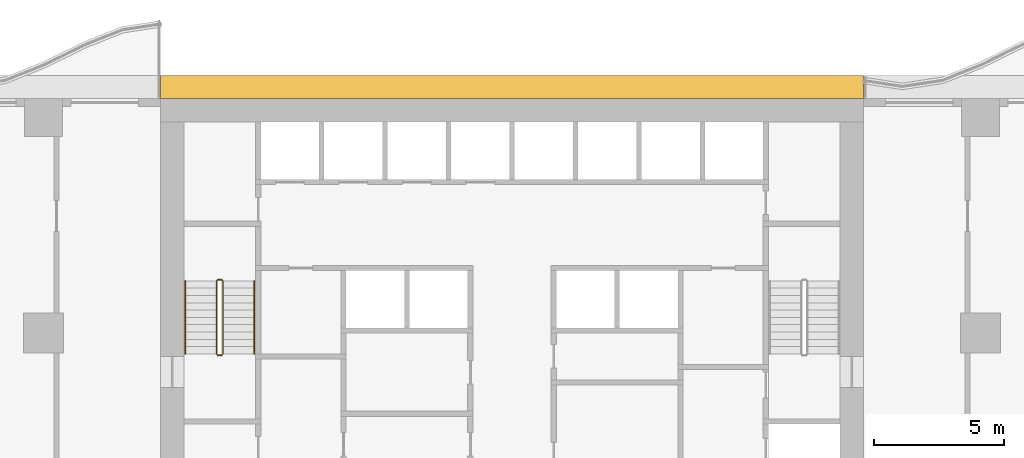
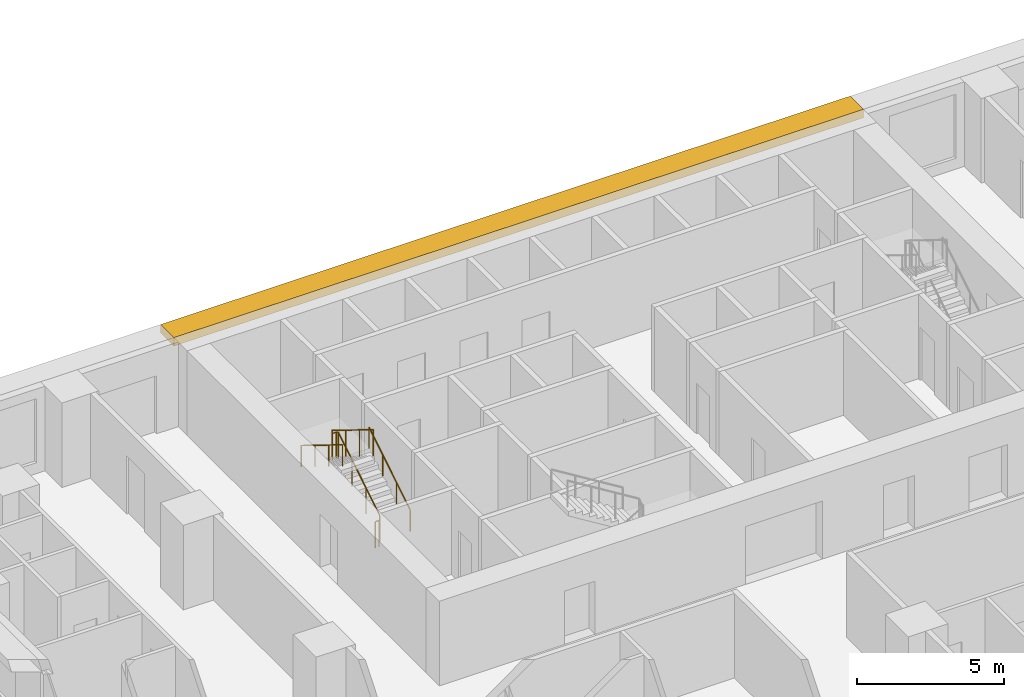
# One storey, part 12 of 14: 4 railings, 1 shading device.
"""IFC4 building model written with IfcOpenShell, lengths in metres."""

from ifc_helpers import new_model, si_unit, direction, frame, origin, origin_2d, place, context, subcontext, project, spatial, polyline, circle, outline, extrude, material, layer, layer_set, type_object, element, save


model = new_model("IFC4")

# Units and contexts
model_context = context("Model", 3, precision=1e-05, world=origin(), true_north=direction((0.0, 1.0)))
body_context = subcontext(model_context, "Body", "Model", "MODEL_VIEW")
ifc_project = project(units=[si_unit("LENGTHUNIT", "METRE"), si_unit("AREAUNIT", "SQUARE_METRE"), si_unit("VOLUMEUNIT", "CUBIC_METRE"), si_unit("PLANEANGLEUNIT", "RADIAN"), si_unit("MASSUNIT", "GRAM", prefix="KILO")], contexts=[model_context])

# Site, building, storey
site_placement = place(None, origin())
site = spatial("IfcSite", under=ifc_project, at=site_placement, CompositionType="ELEMENT")
building_placement = place(site_placement, origin())
building = spatial("IfcBuilding", under=site, at=building_placement, Name="Orbiselva Terraces", CompositionType="ELEMENT")
storey_placement = place(building_placement, frame((0.0, 0.0, 22.6)))
storey = spatial("IfcBuildingStorey", under=building, at=storey_placement, Name="L05", CompositionType="ELEMENT", Elevation=22.6)

# Railings
ifc_material_1 = material(Name="Stainless steel", Category="steel")
railing_type_1 = type_object("IfcRailingType", Name="CORE-GUARD-1100", PredefinedType="GUARDRAIL", material=ifc_material_1)
railing_1_placement = place(storey_placement, frame((-11.1, 12.7, 0.172727)))
element("IfcRailing", 1, at=railing_1_placement, inside=storey, type_object=railing_type_1, Name="L05 S1 stair guard 1", PredefinedType="GUARDRAIL", context=body_context, shape_type="SweptSolid", body=[
    extrude(circle(Radius=0.024, at=origin_2d()), frame((0.0, 0.0, 1.081), z_axis=(0.0, 0.851088519012, 0.52502222125), x_axis=(-1.0, 0.0, 0.0)), (0.0, 0.0, 1.0), 3.289905),
    extrude(circle(Radius=0.024, at=origin_2d()), frame((0.0, 2.8, 2.808273), z_axis=(-0.707106781187, 0.707106781187, 0.0), x_axis=(-0.707106781187, -0.707106781187, 0.0)), (0.0, 0.0, 1.0), 0.070711),
    extrude(circle(Radius=0.024, at=origin_2d()), frame((-0.05, 2.85, 2.808273), z_axis=(-1.0, 0.0, 0.0), x_axis=(0.0, -1.0, 0.0)), (0.0, 0.0, 1.0), 0.15),
    extrude(circle(Radius=0.024, at=origin_2d()), frame((-0.2, 2.85, 2.808273), z_axis=(-0.267894925557, -0.267894925557, 0.925453736133), x_axis=(0.707106781187, -0.707106781187, 0.0)), (0.0, 0.0, 1.0), 0.18664),
    extrude(circle(Radius=0.024, at=origin_2d()), frame((-0.25, 2.8, 2.981), z_axis=(0.0, -0.851088519012, 0.52502222125), x_axis=(1.0, 0.0, 0.0)), (0.0, 0.0, 1.0), 3.289905),
    extrude(circle(Radius=0.021, at=origin_2d()), origin(), (0.0, 0.0, 1.0), 1.057),
    extrude(circle(Radius=0.021, at=origin_2d()), frame((0.0, 0.933333, 0.575758)), (0.0, 0.0, 1.0), 1.057),
    extrude(circle(Radius=0.021, at=origin_2d()), frame((0.0, 1.866667, 1.151515)), (0.0, 0.0, 1.0), 1.057),
    extrude(circle(Radius=0.021, at=origin_2d()), frame((0.0, 2.8, 1.727273)), (0.0, 0.0, 1.0), 1.057),
    extrude(circle(Radius=0.021, at=origin_2d()), frame((-0.05, 2.85, 1.727273)), (0.0, 0.0, 1.0), 1.057),
    extrude(circle(Radius=0.021, at=origin_2d()), frame((-0.2, 2.85, 1.727273)), (0.0, 0.0, 1.0), 1.057),
    extrude(circle(Radius=0.021, at=origin_2d()), frame((-0.25, 2.8, 1.9)), (0.0, 0.0, 1.0), 1.057),
    extrude(circle(Radius=0.021, at=origin_2d()), frame((-0.25, 1.866667, 2.475758)), (0.0, 0.0, 1.0), 1.057),
    extrude(circle(Radius=0.021, at=origin_2d()), frame((-0.25, 0.933333, 3.051515)), (0.0, 0.0, 1.0), 1.057),
    extrude(circle(Radius=0.021, at=origin_2d()), frame((-0.25, 0.0, 3.627273)), (0.0, 0.0, 1.0), 1.057),
])
railing_2_placement = place(storey_placement, frame((-11.15, 12.65, 0.0)))
element("IfcRailing", 2, at=railing_2_placement, inside=storey, type_object=railing_type_1, Name="L05 S1 stair guard 2", PredefinedType="GUARDRAIL", context=body_context, shape_type="SweptSolid", body=[
    extrude(circle(Radius=0.024, at=origin_2d()), frame((0.0, 0.0, 1.081), z_axis=(-1.0, 0.0, 0.0), x_axis=(0.0, -1.0, 0.0)), (0.0, 0.0, 1.0), 0.15),
    extrude(circle(Radius=0.021, at=origin_2d()), origin(), (0.0, 0.0, 1.0), 1.057),
    extrude(circle(Radius=0.021, at=origin_2d()), frame((-0.15, 0.0, 0.0)), (0.0, 0.0, 1.0), 1.057),
])
railing_type_2 = type_object("IfcRailingType", Name="CORE-HANDRAIL-900", PredefinedType="HANDRAIL", material=ifc_material_1)
railing_3_placement = place(storey_placement, frame((-9.9, 12.7, 0.172727)))
element("IfcRailing", 3, at=railing_3_placement, inside=storey, type_object=railing_type_2, Name="L05 S1 stair handrail 1", PredefinedType="HANDRAIL", context=body_context, shape_type="SweptSolid", body=[
    extrude(circle(Radius=0.024, at=origin_2d()), frame((0.0, 0.0, 0.876), z_axis=(0.0, 0.851088519012, 0.52502222125), x_axis=(-1.0, 0.0, 0.0)), (0.0, 0.0, 1.0), 3.289905),
    extrude(circle(Radius=0.021, at=origin_2d()), origin(), (0.0, 0.0, 1.0), 0.852),
    extrude(circle(Radius=0.021, at=origin_2d()), frame((0.0, 0.933333, 0.575758)), (0.0, 0.0, 1.0), 0.852),
    extrude(circle(Radius=0.021, at=origin_2d()), frame((0.0, 1.866667, 1.151515)), (0.0, 0.0, 1.0), 0.852),
    extrude(circle(Radius=0.021, at=origin_2d()), frame((0.0, 2.8, 1.727273)), (0.0, 0.0, 1.0), 0.852),
])
railing_4_placement = place(storey_placement, frame((-12.55, 15.5, 2.072727)))
element("IfcRailing", 4, at=railing_4_placement, inside=storey, type_object=railing_type_2, Name="L05 S1 stair handrail 2", PredefinedType="HANDRAIL", context=body_context, shape_type="SweptSolid", body=[
    extrude(circle(Radius=0.024, at=origin_2d()), frame((0.0, 0.0, 0.876), z_axis=(0.0, -0.851088519012, 0.52502222125), x_axis=(1.0, 0.0, 0.0)), (0.0, 0.0, 1.0), 3.289905),
    extrude(circle(Radius=0.021, at=origin_2d()), origin(), (0.0, 0.0, 1.0), 0.852),
    extrude(circle(Radius=0.021, at=origin_2d()), frame((0.0, -0.933333, 0.575758)), (0.0, 0.0, 1.0), 0.852),
    extrude(circle(Radius=0.021, at=origin_2d()), frame((0.0, -1.866667, 1.151515)), (0.0, 0.0, 1.0), 0.852),
    extrude(circle(Radius=0.021, at=origin_2d()), frame((0.0, -2.8, 1.727273)), (0.0, 0.0, 1.0), 0.852),
])

# Shading device
ifc_material_2 = material(Name="Terracotta baguette sunshade", Category="masonry")
ifc_layer = layer(ifc_material_2, 0.35)
ifc_layer_set = layer_set([ifc_layer], Name="Terracotta baguette sunshade")
shading_device_type = type_object("IfcShadingDeviceType", Name="ENV-SUNSHADE-900x350", PredefinedType="USERDEFINED", material=ifc_layer_set)
shading_device_placement = place(storey_placement, frame((0.0, 0.0, 3.15)))
element("IfcShadingDevice", 5, at=shading_device_placement, inside=storey, type_object=shading_device_type, Name="Sunshade band L05 CORE NORTH", ObjectType="SUNSHADE", PredefinedType="USERDEFINED", context=body_context, shape_type="SweptSolid", body=[
    extrude(outline(polyline([(13.5, 23.4), (-13.5, 23.4), (-13.5, 22.5), (13.5, 22.5), (13.5, 23.4)])), origin(), (0.0, 0.0, 1.0), 0.35),
])

save(model, "model.ifc")
